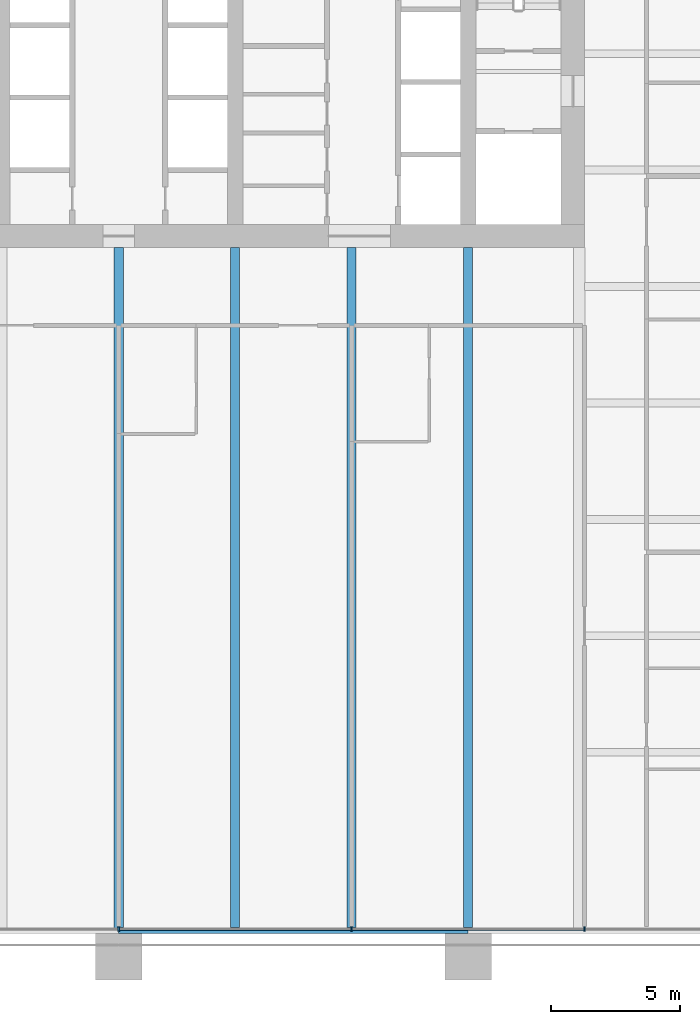
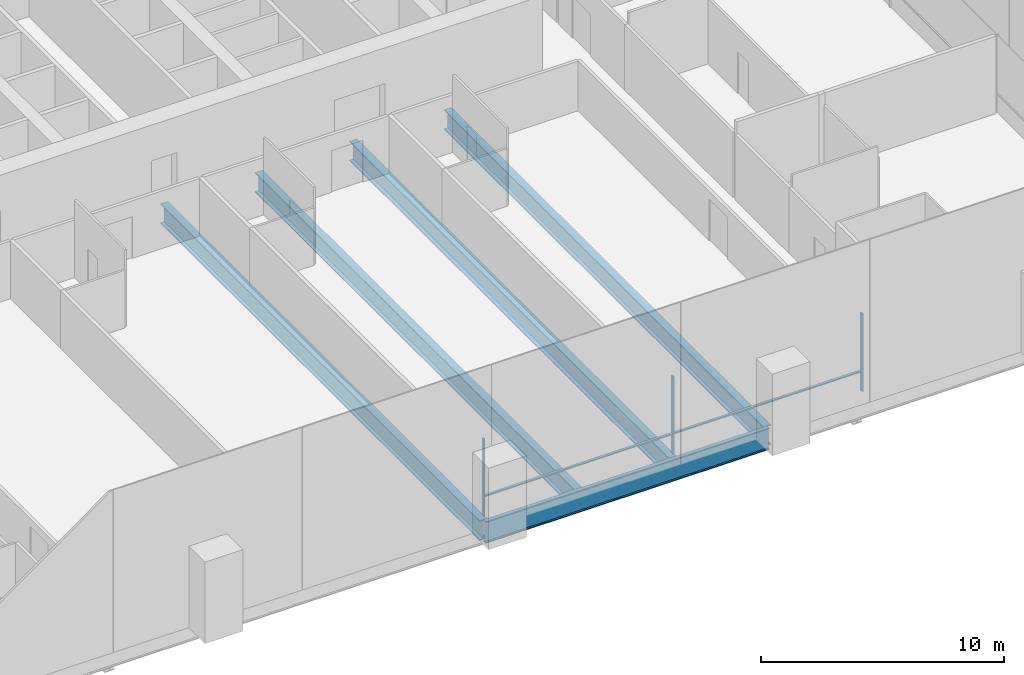
# One storey, part 5 of 18: 5 beams, 5 members, 1 element without a shape of its own.
"""IFC4 building model written with IfcOpenShell, lengths in metres."""

from ifc_helpers import new_model, si_unit, direction, frame, origin, origin_2d, place, context, subcontext, project, spatial, rectangle, i_section, extrude, material, material_profile, profile_set, type_object, element, aggregate, save


model = new_model("IFC4")

# Units and contexts
model_context = context("Model", 3, precision=1e-05, world=origin(), true_north=direction((0.0, 1.0)))
body_context = subcontext(model_context, "Body", "Model", "MODEL_VIEW")
ifc_project = project(units=[si_unit("LENGTHUNIT", "METRE"), si_unit("AREAUNIT", "SQUARE_METRE"), si_unit("VOLUMEUNIT", "CUBIC_METRE"), si_unit("PLANEANGLEUNIT", "RADIAN"), si_unit("MASSUNIT", "GRAM", prefix="KILO")], contexts=[model_context])

# Site, building, storey
site_placement = place(None, origin())
site = spatial("IfcSite", under=ifc_project, at=site_placement, CompositionType="ELEMENT")
building_placement = place(site_placement, origin())
building = spatial("IfcBuilding", under=site, at=building_placement, Name="Rattan Terrace Tower", CompositionType="ELEMENT")
storey_placement = place(building_placement, frame((0.0, 0.0, 57.0)))
storey = spatial("IfcBuildingStorey", under=building, at=storey_placement, Name="L12", CompositionType="ELEMENT", Elevation=57.0)

# Curtain wall, members
ifc_material_1 = material(Name="Aluminium and glass", Category="aluminium")
curtain_wall_type = type_object("IfcCurtainWallType", Name="Facade Unitised Curtain Wall", PredefinedType="NOTDEFINED", material=ifc_material_1)
curtain_wall_placement = place(storey_placement, origin())
curtain_wall = element("IfcCurtainWall", 1, at=curtain_wall_placement, inside=storey, type_object=curtain_wall_type, Name="Curtain wall L12-4", PredefinedType="NOTDEFINED")
ifc_material_2 = material(Name="Aluminium", Category="aluminium")
ifc_material_profile_1 = material_profile(ifc_material_2, rectangle(XDim=0.06005859375, YDim=0.159912109375, at=origin_2d()), Name="Aluminium 60x160")
ifc_profile_set_1 = profile_set([ifc_material_profile_1], Name="Aluminium")
member_type_1 = type_object("IfcMemberType", Name="Facade CW Mullion 60x160", PredefinedType="MULLION", material=ifc_profile_set_1)
member_1_placement = place(storey_placement, frame((0.0, -33.830078125, 0.0), z_axis=(0.0, 0.0, 1.0), x_axis=(1.0, 0.0, 0.0)))
member_1 = element("IfcMember", 2, at=member_1_placement, type_object=member_type_1, Name="Mullion cwl-L12-004.4", PredefinedType="MULLION", context=body_context, shape_type="SweptSolid", body=[
    extrude(rectangle(XDim=0.06005859375, YDim=0.159912109375, at=origin_2d()), origin(), (0.0, 0.0, 1.0), 3.89990234375),
])
member_2_placement = place(storey_placement, frame((9.0, -33.830078125, 0.0), z_axis=(0.0, 0.0, 1.0), x_axis=(1.0, 0.0, 0.0)))
member_2 = element("IfcMember", 3, at=member_2_placement, type_object=member_type_1, Name="Mullion cwl-L12-004.5", PredefinedType="MULLION", context=body_context, shape_type="SweptSolid", body=[
    extrude(rectangle(XDim=0.06005859375, YDim=0.159912109375, at=origin_2d()), origin(), (0.0, 0.0, 1.0), 3.89990234375),
])
member_3_placement = place(storey_placement, frame((18.0, -33.830078125, 0.0), z_axis=(0.0, 0.0, 1.0), x_axis=(1.0, 0.0, 0.0)))
member_3 = element("IfcMember", 4, at=member_3_placement, type_object=member_type_1, Name="Mullion cwl-L12-004.6", PredefinedType="MULLION", context=body_context, shape_type="SweptSolid", body=[
    extrude(rectangle(XDim=0.06005859375, YDim=0.159912109375, at=origin_2d()), origin(), (0.0, 0.0, 1.0), 3.89990234375),
])
ifc_material_3 = material(Name="Aluminium", Category="aluminium")
ifc_material_profile_2 = material_profile(ifc_material_3, rectangle(XDim=0.1201171875, YDim=0.06005859375, at=origin_2d()), Name="Aluminium 120x60")
ifc_profile_set_2 = profile_set([ifc_material_profile_2], Name="Aluminium")
member_type_2 = type_object("IfcMemberType", Name="Facade CW Transom 120x60", PredefinedType="USERDEFINED", material=ifc_profile_set_2)
member_4_placement = place(storey_placement, frame((0.030029296875, -33.830078125, 1.0), z_axis=(1.0, 0.0, 0.0), x_axis=(0.0, 1.0, 0.0)))
member_4 = element("IfcMember", 5, at=member_4_placement, type_object=member_type_2, Name="Transom cwl-L12-004.4", ObjectType="TRANSOM", PredefinedType="USERDEFINED", context=body_context, shape_type="SweptSolid", body=[
    extrude(rectangle(XDim=0.1201171875, YDim=0.06005859375, at=origin_2d()), origin(), (0.0, 0.0, 1.0), 8.93994140625),
])
member_5_placement = place(storey_placement, frame((9.030029296875, -33.830078125, 1.0), z_axis=(1.0, 0.0, 0.0), x_axis=(0.0, 1.0, 0.0)))
member_5 = element("IfcMember", 6, at=member_5_placement, type_object=member_type_2, Name="Transom cwl-L12-004.5", ObjectType="TRANSOM", PredefinedType="USERDEFINED", context=body_context, shape_type="SweptSolid", body=[
    extrude(rectangle(XDim=0.1201171875, YDim=0.06005859375, at=origin_2d()), origin(), (0.0, 0.0, 1.0), 8.93994140625),
])
aggregate(curtain_wall, [member_1, member_2, member_3, member_4, member_5])

# Beams
ifc_material_4 = material(Name="Steel S460", Category="steel")
ifc_material_profile_3 = material_profile(ifc_material_4, i_section(OverallWidth=0.179931640625, OverallDepth=1.10009765625, WebThickness=0.01611328125, FlangeThickness=0.050048828125, at=origin_2d()), Name="PG 1100x180-16-50")
ifc_profile_set_3 = profile_set([ifc_material_profile_3], Name="Steel S460")
beam_type_1 = type_object("IfcBeamType", Name="Frame edge girder PG 1100x180-16-50", PredefinedType="SPANDREL", material=ifc_profile_set_3)
beam_placement = place(storey_placement, frame((0.0, -33.909912109375, -0.75), z_axis=(1.0, 0.0, 0.0), x_axis=(0.0, 1.0, 0.0)))
element("IfcBeam", 7, at=beam_placement, inside=storey, type_object=beam_type_1, Name="gdr-L12-003", PredefinedType="SPANDREL", context=body_context, shape_type="SweptSolid", body=[
    extrude(i_section(OverallWidth=0.179931640625, OverallDepth=1.10009765625, WebThickness=0.01611328125, FlangeThickness=0.050048828125, at=origin_2d()), origin(), (0.0, 0.0, 1.0), 13.5),
])
ifc_material_5 = material(Name="Steel S460", Category="steel")
ifc_material_profile_4 = material_profile(ifc_material_5, i_section(OverallWidth=0.35009765625, OverallDepth=1.0, WebThickness=0.01611328125, FlangeThickness=0.044921875, at=origin_2d()), Name="PG 1000x350-16-45")
ifc_profile_set_4 = profile_set([ifc_material_profile_4], Name="Steel S460")
beam_type_2 = type_object("IfcBeamType", Name="Frame floor beam PG 1000x350-16-45", PredefinedType="JOIST", material=ifc_profile_set_4)
for number, where, z_axis, x_axis, name in (
    (8, (0.0, -33.820068359375, -0.699951171875), (0.0, 1.0, 0.0), (-1.0, 0.0, 0.0), "bm-L12-006"),
    (9, (4.5, -33.820068359375, -0.699951171875), (0.0, 1.0, 0.0), (-1.0, 0.0, 0.0), "bm-L12-007"),
    (10, (9.0, -33.820068359375, -0.699951171875), (0.0, 1.0, 0.0), (-1.0, 0.0, 0.0), "bm-L12-008"),
    (11, (13.5, -33.820068359375, -0.699951171875), (0.0, 1.0, 0.0), (-1.0, 0.0, 0.0), "bm-L12-009"),
):
    element("IfcBeam", number, at=place(storey_placement, frame(where, z_axis=z_axis, x_axis=x_axis)), inside=storey, type_object=beam_type_2, Name=name, PredefinedType="JOIST", context=body_context, shape_type="SweptSolid", body=[
        extrude(i_section(OverallWidth=0.35009765625, OverallDepth=1.0, WebThickness=0.01611328125, FlangeThickness=0.044921875, at=origin_2d()), origin(), (0.0, 0.0, 1.0), 26.320068359375),
    ])

save(model, "model.ifc")
